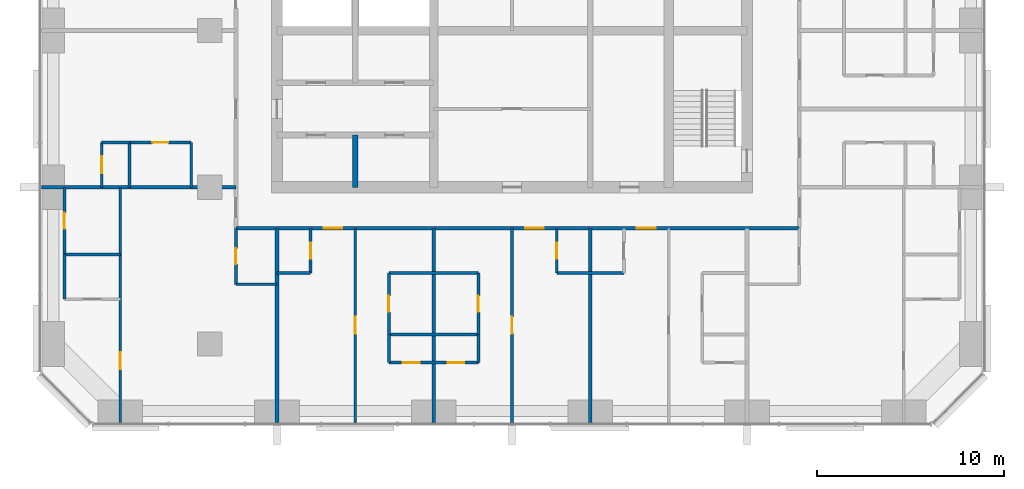
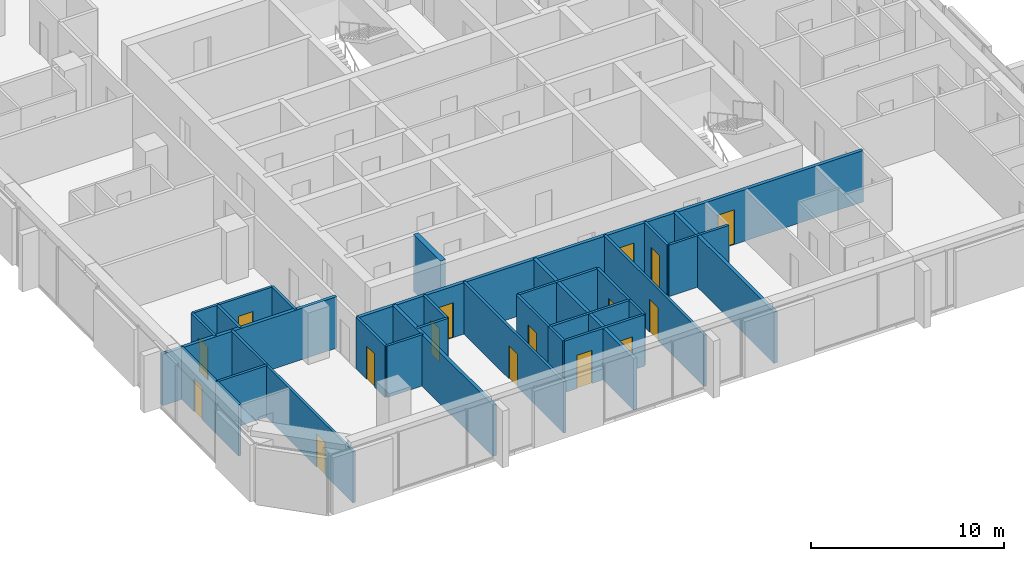
# One storey, part 8 of 14: 30 walls, 16 doors, 16 openings.
"""IFC4 building model written with IfcOpenShell, lengths in metres."""

import ifcopenshell
import ifcopenshell.guid

model = None  # the IFC model being written
_history = None  # IfcOwnerHistory: only IFC2X3 demands one
_inside = {}  # id of a spatial element -> (the spatial element, [elements in it])
_under = {}  # id of a project, library or spatial element -> (it, [spatial elements below it])
_declared = {}  # id of a project -> (the project, [libraries it declares])
_typed = {}  # id of a type object -> (the type object, [elements of that type])
_made_of = {}  # id of a material, layer set ... -> (it, [elements and type objects made of it])


def new_model(schema):
    """Start an empty IFC model of exactly this schema.

    Asked for "IFC4X3", IfcOpenShell would pick the latest addendum, in which some entities
    have other attributes; the version numbers below select the first issue.
    IFC2X3 requires an IfcOwnerHistory on every rooted entity: one is made here for all.
    """
    global model, _history
    if schema == "IFC4X3":
        model = ifcopenshell.file(schema_version=(4, 3, 0, 0))
    else:
        model = ifcopenshell.file(schema=schema)
    _inside.clear()
    _under.clear()
    _declared.clear()
    _typed.clear()
    _made_of.clear()
    _history = None
    if model.schema == "IFC2X3":
        org = make("IfcOrganization", Name="unknown")
        user = make(
            "IfcPersonAndOrganization",
            ThePerson=make("IfcPerson", FamilyName="unknown"),
            TheOrganization=org,
        )
        app = make(
            "IfcApplication",
            ApplicationDeveloper=org,
            Version="unknown",
            ApplicationFullName="unknown",
            ApplicationIdentifier="unknown",
        )
        _history = make(
            "IfcOwnerHistory",
            OwningUser=user,
            OwningApplication=app,
            ChangeAction="ADDED",
            CreationDate=0,
        )
    return model


def make(cls, **values):
    """One entity of the class cls with the attributes given. An attribute that is None is left unset."""
    return model.create_entity(
        cls, **{name: value for name, value in values.items() if value is not None}
    )


def rooted(cls, **values):
    """An entity with a GlobalId (a new one), such as an element, a storey or a relation."""
    return make(cls, GlobalId=ifcopenshell.guid.new(), OwnerHistory=_history, **values)


def si_unit(unit_type, name, prefix=None):
    """IfcSIUnit, for example si_unit("LENGTHUNIT", "METRE", prefix="MILLI")."""
    return make("IfcSIUnit", UnitType=unit_type, Prefix=prefix, Name=name)


def assignment(units):
    """IfcUnitAssignment: the units of a project."""
    return None if units is None else make("IfcUnitAssignment", Units=units)


def point(xyz):
    """IfcCartesianPoint."""
    return None if xyz is None else make("IfcCartesianPoint", Coordinates=xyz)


def direction(xyz):
    """IfcDirection."""
    return None if xyz is None else make("IfcDirection", DirectionRatios=xyz)


def frame(location, z_axis=None, x_axis=None):
    """IfcAxis2Placement3D, a coordinate frame: its origin and axes. An axis left out is left unset."""
    return make(
        "IfcAxis2Placement3D",
        Location=point(location),
        Axis=direction(z_axis),
        RefDirection=direction(x_axis),
    )


def frame_2d(location, x_axis=None):
    """IfcAxis2Placement2D, a coordinate frame in the plane: its origin and x axis."""
    return make(
        "IfcAxis2Placement2D", Location=point(location), RefDirection=direction(x_axis)
    )


def origin():
    """The frame at (0, 0, 0) with its axes left unset."""
    return frame((0.0, 0.0, 0.0))


def place(relative_to, where):
    """IfcLocalPlacement: puts the frame where relative to a parent placement (None: the world)."""
    return make(
        "IfcLocalPlacement", PlacementRelTo=relative_to, RelativePlacement=where
    )


def context(
    kind, dimensions, precision=None, world=None, true_north=None, identifier=None
):
    """IfcGeometricRepresentationContext, for example the 3D "Model" context."""
    return make(
        "IfcGeometricRepresentationContext",
        ContextIdentifier=identifier,
        ContextType=kind,
        CoordinateSpaceDimension=dimensions,
        Precision=precision,
        WorldCoordinateSystem=world,
        TrueNorth=true_north,
    )


def subcontext(parent, identifier, kind, view, scale=None):
    """IfcGeometricRepresentationSubContext, for example "Body" below "Model"."""
    return make(
        "IfcGeometricRepresentationSubContext",
        ContextIdentifier=identifier,
        ContextType=kind,
        ParentContext=parent,
        TargetScale=scale,
        TargetView=view,
    )


def project(units=None, contexts=None):
    """IfcProject with its units and contexts."""
    return rooted(
        "IfcProject",
        Name="project",
        RepresentationContexts=contexts,
        UnitsInContext=assignment(units),
    )


def spatial(cls, under=None, at=None, **own):
    """A site, building, storey or space (cls), placed at a placement, below another one or the project."""
    s = rooted(cls, ObjectPlacement=at, **own)
    if under is not None:
        _under.setdefault(under.id(), (under, []))[1].append(s)
    return s


def profile(cls, at=None, kind="AREA", **sizes):
    """A parametric profile (cls). Its sizes go by their IFC names, for example OverallWidth=200.0."""
    return make(cls, ProfileType=kind, Position=at, **sizes)


def rectangle(**sizes):
    """IfcRectangleProfileDef."""
    return profile("IfcRectangleProfileDef", **sizes)


def extrude(swept, where, along, depth):
    """IfcExtrudedAreaSolid: the profile swept, set in the frame where, extruded along a direction by depth."""
    return make(
        "IfcExtrudedAreaSolid",
        SweptArea=swept,
        Position=where,
        ExtrudedDirection=direction(along),
        Depth=depth,
    )


def shape(context_of_items, identifier, shape_type, items):
    """IfcShapeRepresentation: the items that make up one representation, for example the "Body"."""
    return make(
        "IfcShapeRepresentation",
        ContextOfItems=context_of_items,
        RepresentationIdentifier=identifier,
        RepresentationType=shape_type,
        Items=items,
    )


def material(Name=None, Category=None):
    """IfcMaterial."""
    return make("IfcMaterial", Name=Name, Category=Category)


def layer(
    of_material, thickness, ventilated=None, Name=None, Category=None, Priority=None
):
    """IfcMaterialLayer: one layer of a wall or slab, of a material (None: an air gap)."""
    return make(
        "IfcMaterialLayer",
        Material=of_material,
        LayerThickness=thickness,
        IsVentilated=ventilated,
        Name=Name,
        Category=Category,
        Priority=Priority,
    )


def layer_set(layers, Name=None):
    """IfcMaterialLayerSet."""
    return make("IfcMaterialLayerSet", MaterialLayers=layers, LayerSetName=Name)


def made_of(thing, what):
    """Note that an element or type object is made of a material, layer set ...; save() writes the relation."""
    if what is not None:
        _made_of.setdefault(what.id(), (what, []))[1].append(thing)
    return thing


def type_object(cls, material=None, **own):
    """A type object (cls), such as IfcWallType, which elements share."""
    return made_of(rooted(cls, **own), material)


def element(
    cls,
    number,
    at=None,
    inside=None,
    cuts=None,
    type_object=None,
    material=None,
    context=None,
    identifier="Body",
    shape_type=None,
    held_by="IfcProductDefinitionShape",
    body=None,
    shapes=None,
    **own,
):
    """One element of the class cls, such as IfcWall. Its Tag is "e" and its number.

    at: its placement. inside: the storey or other place that contains it. cuts: it is an
    opening in that element (IfcRelVoidsElement). A single representation is given by context,
    identifier, shape_type and body (its items); several are given by shapes. held_by: the class
    of the entity that holds the representations. save() writes the other relations.
    """
    e = rooted(cls, Tag="e%d" % number, ObjectPlacement=at, **own)
    if body is not None:
        shapes = [shape(context, identifier, shape_type, body)]
    if shapes is not None:
        e.Representation = make(held_by, Representations=shapes)
    if inside is not None:
        _inside.setdefault(inside.id(), (inside, []))[1].append(e)
    if cuts is not None:
        rooted(
            "IfcRelVoidsElement", RelatingBuildingElement=cuts, RelatedOpeningElement=e
        )
    if type_object is not None:
        _typed.setdefault(type_object.id(), (type_object, []))[1].append(e)
    return made_of(e, material)


def fill(opening, filler):
    """IfcRelFillsElement: the door or window that sits in an opening."""
    return rooted(
        "IfcRelFillsElement",
        RelatingOpeningElement=opening,
        RelatedBuildingElement=filler,
    )


def aggregate(whole, parts):
    """IfcRelAggregates: a whole, such as a stair, and the parts it consists of."""
    return rooted("IfcRelAggregates", RelatingObject=whole, RelatedObjects=parts)


def save(model, path):
    """Write the relations noted so far, then the file.

    IfcRelAggregates (storeys below a building ...), IfcRelContainedInSpatialStructure (elements
    in a storey), IfcRelDefinesByType, IfcRelAssociatesMaterial and IfcRelDeclares: one each for
    every whole, place, type object, material and project.
    """
    for whole, parts in _under.values():
        aggregate(whole, parts)
    for where, things in _inside.values():
        rooted(
            "IfcRelContainedInSpatialStructure",
            RelatedElements=things,
            RelatingStructure=where,
        )
    for kind, things in _typed.values():
        rooted("IfcRelDefinesByType", RelatedObjects=things, RelatingType=kind)
    for what, things in _made_of.values():
        rooted("IfcRelAssociatesMaterial", RelatedObjects=things, RelatingMaterial=what)
    for by, libraries in _declared.values():
        rooted("IfcRelDeclares", RelatingContext=by, RelatedDefinitions=libraries)
    model.write(path)


model = new_model("IFC4")

# Units and contexts
model_context = context("Model", 3, precision=1e-05, world=origin(), true_north=direction((0.0, 1.0)))
body_context = subcontext(model_context, "Body", "Model", "MODEL_VIEW")
ifc_project = project(units=[si_unit("LENGTHUNIT", "METRE"), si_unit("AREAUNIT", "SQUARE_METRE"), si_unit("VOLUMEUNIT", "CUBIC_METRE"), si_unit("PLANEANGLEUNIT", "RADIAN"), si_unit("MASSUNIT", "GRAM", prefix="KILO")], contexts=[model_context])

# Site, building, storey
site_placement = place(None, origin())
site = spatial("IfcSite", under=ifc_project, at=site_placement, CompositionType="ELEMENT")
building_placement = place(site_placement, origin())
building = spatial("IfcBuilding", under=site, at=building_placement, Name="Dunama Terrace Hotel", CompositionType="ELEMENT")
storey_placement = place(building_placement, frame((0.0, 0.0, 180.60009765625)))
storey = spatial("IfcBuildingStorey", under=building, at=storey_placement, Name="L46", CompositionType="ELEMENT", Elevation=180.60009765625)

# Wall, opening, door
ifc_material_1 = material(Name="Gypsum board partition", Category="masonry")
ifc_layer_1 = layer(ifc_material_1, 0.14990234375)
ifc_layer_set_1 = layer_set([ifc_layer_1], Name="Bathroom partition 150")
wall_type_1 = type_object("IfcWallType", Name="Bathroom partition 150", PredefinedType="PARTITIONING", material=ifc_layer_set_1)
wall_1_placement = place(storey_placement, frame((5.39990234375, 13.199951171875, 0.0), z_axis=(0.0, 0.0, 1.0), x_axis=(0.0, 1.0, 0.0)))
wall_1 = element("IfcWall", 1, at=wall_1_placement, inside=storey, type_object=wall_type_1, Name="Bathroom partition 150 L46", PredefinedType="PARTITIONING", context=body_context, shape_type="SweptSolid", body=[
    extrude(rectangle(XDim=3.60009765625, YDim=0.14990234375, at=frame_2d((1.800048828125, 0.0))), origin(), (0.0, 0.0, 1.0), 3.25),
])
opening_1_placement = place(wall_1_placement, frame((1.375, 0.0, 0.0)))
opening_1 = element("IfcOpeningElement", 2, at=opening_1_placement, cuts=wall_1, Name="Opening L46-47-055", PredefinedType="OPENING", context=body_context, shape_type="SweptSolid", body=[
    extrude(rectangle(XDim=0.85009765625, YDim=2.10009765625, at=frame_2d((0.425048828125, 1.050048828125))), frame((0.0, 0.0849609375, 0.0), z_axis=(0.0, -1.0, 0.0), x_axis=(1.0, 0.0, 0.0)), (0.0, 0.0, 1.0), 0.169921875),
])
ifc_material_2 = material(Name="Timber door with steel frame", Category="steel")
door_type_1 = type_object("IfcDoorType", Name="Bathroom door 850", OperationType="SINGLE_SWING_LEFT", PredefinedType="DOOR", material=ifc_material_2)
door_1_placement = place(opening_1_placement, frame((0.85009765625, 0.0, 0.0), z_axis=(0.0, 0.0, 1.0), x_axis=(-1.0, 0.0, 0.0)))
door_1 = element("IfcDoor", 3, at=door_1_placement, inside=storey, type_object=door_type_1, Name="Door to en-suite bathroom L46-47-055, type D2", OperationType="SINGLE_SWING_LEFT", OverallHeight=2.10009765625, OverallWidth=0.85009765625, PredefinedType="DOOR", context=body_context, shape_type="SweptSolid", body=[
    extrude(rectangle(XDim=0.85009765625, YDim=2.10009765625, at=frame_2d((0.425048828125, 1.050048828125))), frame((0.0, 0.025146484375, 0.0), z_axis=(0.0, -1.0, 0.0), x_axis=(1.0, 0.0, 0.0)), (0.0, 0.0, 1.0), 0.050048828125),
])
fill(opening_1, door_1)

# Wall
wall_2_placement = place(storey_placement, frame((12.199951171875, 16.800048828125, 0.0), z_axis=(0.0, 0.0, 1.0), x_axis=(0.0, 1.0, 0.0)))
element("IfcWall", 4, at=wall_2_placement, inside=storey, type_object=wall_type_1, Name="Bathroom partition 150 L46", PredefinedType="PARTITIONING", context=body_context, shape_type="SweptSolid", body=[
    extrude(rectangle(XDim=2.39990234375, YDim=0.14990234375, at=frame_2d((1.199951171875, 0.0))), origin(), (0.0, 0.0, 1.0), 3.25),
])

# Wall, opening, door
wall_3_placement = place(storey_placement, frame((14.60009765625, 11.60009765625, 0.0), z_axis=(0.0, 0.0, 1.0), x_axis=(0.0, 1.0, 0.0)))
wall_3 = element("IfcWall", 5, at=wall_3_placement, inside=storey, type_object=wall_type_1, Name="Bathroom partition 150 L46", PredefinedType="PARTITIONING", context=body_context, shape_type="SweptSolid", body=[
    extrude(rectangle(XDim=3.0, YDim=0.14990234375, at=frame_2d((1.5, 0.0))), origin(), (0.0, 0.0, 1.0), 3.25),
])
opening_2_placement = place(wall_3_placement, frame((1.074951171875, 0.0, 0.0)))
opening_2 = element("IfcOpeningElement", 6, at=opening_2_placement, cuts=wall_3, Name="Opening L46-47-053", PredefinedType="OPENING", context=body_context, shape_type="SweptSolid", body=[
    extrude(rectangle(XDim=0.85009765625, YDim=2.10009765625, at=frame_2d((0.425048828125, 1.050048828125))), frame((0.0, 0.0849609375, 0.0), z_axis=(0.0, -1.0, 0.0), x_axis=(1.0, 0.0, 0.0)), (0.0, 0.0, 1.0), 0.169921875),
])
door_2_placement = place(opening_2_placement, frame((0.85009765625, 0.0, 0.0), z_axis=(0.0, 0.0, 1.0), x_axis=(-1.0, 0.0, 0.0)))
door_2 = element("IfcDoor", 7, at=door_2_placement, inside=storey, type_object=door_type_1, Name="Door to powder room L46-47-053, type D2", OperationType="SINGLE_SWING_LEFT", OverallHeight=2.10009765625, OverallWidth=0.85009765625, PredefinedType="DOOR", context=body_context, shape_type="SweptSolid", body=[
    extrude(rectangle(XDim=0.85009765625, YDim=2.10009765625, at=frame_2d((0.425048828125, 1.050048828125))), frame((0.0, 0.025146484375, 0.0), z_axis=(0.0, -1.0, 0.0), x_axis=(1.0, 0.0, 0.0)), (0.0, 0.0, 1.0), 0.050048828125),
])
fill(opening_2, door_2)

wall_4_placement = place(storey_placement, frame((18.60009765625, 12.199951171875, 0.0), z_axis=(0.0, 0.0, 1.0), x_axis=(0.0, 1.0, 0.0)))
wall_4 = element("IfcWall", 8, at=wall_4_placement, inside=storey, type_object=wall_type_1, Name="Bathroom partition 150 L46", PredefinedType="PARTITIONING", context=body_context, shape_type="SweptSolid", body=[
    extrude(rectangle(XDim=2.400146484375, YDim=0.14990234375, at=frame_2d((1.2001953125, 0.0))), origin(), (0.0, 0.0, 1.0), 3.25),
])
opening_3_placement = place(wall_4_placement, frame((0.77490234375, 0.0, 0.0)))
opening_3 = element("IfcOpeningElement", 9, at=opening_3_placement, cuts=wall_4, Name="Opening L46-47-010", PredefinedType="OPENING", context=body_context, shape_type="SweptSolid", body=[
    extrude(rectangle(XDim=0.85009765625, YDim=2.10009765625, at=frame_2d((0.425048828125, 1.050048828125))), frame((0.0, 0.0849609375, 0.0), z_axis=(0.0, -1.0, 0.0), x_axis=(1.0, 0.0, 0.0)), (0.0, 0.0, 1.0), 0.169921875),
])
door_3_placement = place(opening_3_placement, origin())
door_3 = element("IfcDoor", 10, at=door_3_placement, inside=storey, type_object=door_type_1, Name="Door to powder room L46-47-010, type D2", OperationType="SINGLE_SWING_RIGHT", OverallHeight=2.10009765625, OverallWidth=0.85009765625, PredefinedType="DOOR", context=body_context, shape_type="SweptSolid", body=[
    extrude(rectangle(XDim=0.85009765625, YDim=2.10009765625, at=frame_2d((0.425048828125, 1.050048828125))), frame((0.0, 0.02490234375, 0.0), z_axis=(0.0, -1.0, 0.0), x_axis=(1.0, 0.0, 0.0)), (0.0, 0.0, 1.0), 0.050048828125),
])
fill(opening_3, door_3)

wall_5_placement = place(storey_placement, frame((22.800048828125, 8.89990234375, 0.0), z_axis=(0.0, 0.0, 1.0), x_axis=(0.0, 1.0, 0.0)))
wall_5 = element("IfcWall", 11, at=wall_5_placement, inside=storey, type_object=wall_type_1, Name="Bathroom partition 150 L46", PredefinedType="PARTITIONING", context=body_context, shape_type="SweptSolid", body=[
    extrude(rectangle(XDim=3.300048828125, YDim=0.14990234375, at=frame_2d((1.64990234375, 0.0))), origin(), (0.0, 0.0, 1.0), 3.25),
])
opening_4_placement = place(wall_5_placement, frame((1.22509765625, 0.0, 0.0)))
opening_4 = element("IfcOpeningElement", 12, at=opening_4_placement, cuts=wall_5, Name="Opening L46-47-012", PredefinedType="OPENING", context=body_context, shape_type="SweptSolid", body=[
    extrude(rectangle(XDim=0.85009765625, YDim=2.10009765625, at=frame_2d((0.425048828125, 1.050048828125))), frame((0.0, 0.0849609375, 0.0), z_axis=(0.0, -1.0, 0.0), x_axis=(1.0, 0.0, 0.0)), (0.0, 0.0, 1.0), 0.169921875),
])
door_4_placement = place(opening_4_placement, frame((0.85009765625, 0.0, 0.0), z_axis=(0.0, 0.0, 1.0), x_axis=(-1.0, 0.0, 0.0)))
door_4 = element("IfcDoor", 13, at=door_4_placement, inside=storey, type_object=door_type_1, Name="Door to en-suite bathroom L46-47-012, type D2", OperationType="SINGLE_SWING_RIGHT", OverallHeight=2.10009765625, OverallWidth=0.85009765625, PredefinedType="DOOR", context=body_context, shape_type="SweptSolid", body=[
    extrude(rectangle(XDim=0.85009765625, YDim=2.10009765625, at=frame_2d((0.425048828125, 1.050048828125))), frame((0.0, 0.025146484375, 0.0), z_axis=(0.0, -1.0, 0.0), x_axis=(1.0, 0.0, 0.0)), (0.0, 0.0, 1.0), 0.050048828125),
])
fill(opening_4, door_4)

wall_6_placement = place(storey_placement, frame((27.60009765625, 8.89990234375, 0.0), z_axis=(0.0, 0.0, 1.0), x_axis=(0.0, 1.0, 0.0)))
wall_6 = element("IfcWall", 14, at=wall_6_placement, inside=storey, type_object=wall_type_1, Name="Bathroom partition 150 L46", PredefinedType="PARTITIONING", context=body_context, shape_type="SweptSolid", body=[
    extrude(rectangle(XDim=3.300048828125, YDim=0.14990234375, at=frame_2d((1.64990234375, 0.0))), origin(), (0.0, 0.0, 1.0), 3.25),
])
opening_5_placement = place(wall_6_placement, frame((1.22509765625, 0.0, 0.0)))
opening_5 = element("IfcOpeningElement", 15, at=opening_5_placement, cuts=wall_6, Name="Opening L46-47-017", PredefinedType="OPENING", context=body_context, shape_type="SweptSolid", body=[
    extrude(rectangle(XDim=0.85009765625, YDim=2.10009765625, at=frame_2d((0.425048828125, 1.050048828125))), frame((0.0, 0.0849609375, 0.0), z_axis=(0.0, -1.0, 0.0), x_axis=(1.0, 0.0, 0.0)), (0.0, 0.0, 1.0), 0.169921875),
])
door_5_placement = place(opening_5_placement, origin())
door_5 = element("IfcDoor", 16, at=door_5_placement, inside=storey, type_object=door_type_1, Name="Door to en-suite bathroom L46-47-017, type D2", OperationType="SINGLE_SWING_LEFT", OverallHeight=2.10009765625, OverallWidth=0.85009765625, PredefinedType="DOOR", context=body_context, shape_type="SweptSolid", body=[
    extrude(rectangle(XDim=0.85009765625, YDim=2.10009765625, at=frame_2d((0.425048828125, 1.050048828125))), frame((0.0, 0.02490234375, 0.0), z_axis=(0.0, -1.0, 0.0), x_axis=(1.0, 0.0, 0.0)), (0.0, 0.0, 1.0), 0.050048828125),
])
fill(opening_5, door_5)

wall_7_placement = place(storey_placement, frame((31.800048828125, 12.199951171875, 0.0), z_axis=(0.0, 0.0, 1.0), x_axis=(0.0, 1.0, 0.0)))
wall_7 = element("IfcWall", 17, at=wall_7_placement, inside=storey, type_object=wall_type_1, Name="Bathroom partition 150 L46", PredefinedType="PARTITIONING", context=body_context, shape_type="SweptSolid", body=[
    extrude(rectangle(XDim=2.400146484375, YDim=0.14990234375, at=frame_2d((1.2001953125, 0.0))), origin(), (0.0, 0.0, 1.0), 3.25),
])
opening_6_placement = place(wall_7_placement, frame((0.77490234375, 0.0, 0.0)))
opening_6 = element("IfcOpeningElement", 18, at=opening_6_placement, cuts=wall_7, Name="Opening L46-47-015", PredefinedType="OPENING", context=body_context, shape_type="SweptSolid", body=[
    extrude(rectangle(XDim=0.85009765625, YDim=2.10009765625, at=frame_2d((0.425048828125, 1.050048828125))), frame((0.0, 0.0849609375, 0.0), z_axis=(0.0, -1.0, 0.0), x_axis=(1.0, 0.0, 0.0)), (0.0, 0.0, 1.0), 0.169921875),
])
door_6_placement = place(opening_6_placement, frame((0.85009765625, 0.0, 0.0), z_axis=(0.0, 0.0, 1.0), x_axis=(-1.0, 0.0, 0.0)))
door_6 = element("IfcDoor", 19, at=door_6_placement, inside=storey, type_object=door_type_1, Name="Door to powder room L46-47-015, type D2", OperationType="SINGLE_SWING_LEFT", OverallHeight=2.10009765625, OverallWidth=0.85009765625, PredefinedType="DOOR", context=body_context, shape_type="SweptSolid", body=[
    extrude(rectangle(XDim=0.85009765625, YDim=2.10009765625, at=frame_2d((0.425048828125, 1.050048828125))), frame((0.0, 0.025146484375, 0.0), z_axis=(0.0, -1.0, 0.0), x_axis=(1.0, 0.0, 0.0)), (0.0, 0.0, 1.0), 0.050048828125),
])
fill(opening_6, door_6)

# Walls
wall_8_placement = place(storey_placement, frame((14.60009765625, 11.60009765625, 0.0), z_axis=(0.0, 0.0, 1.0), x_axis=(1.0, 0.0, 0.0)))
element("IfcWall", 20, at=wall_8_placement, inside=storey, type_object=wall_type_1, Name="Bathroom partition 150 L46", PredefinedType="PARTITIONING", context=body_context, shape_type="SweptSolid", body=[
    extrude(rectangle(XDim=2.199951171875, YDim=0.14990234375, at=frame_2d((1.10009765625, 0.0))), origin(), (0.0, 0.0, 1.0), 3.25),
])
wall_9_placement = place(storey_placement, frame((16.800048828125, 12.199951171875, 0.0), z_axis=(0.0, 0.0, 1.0), x_axis=(1.0, 0.0, 0.0)))
element("IfcWall", 21, at=wall_9_placement, inside=storey, type_object=wall_type_1, Name="Bathroom partition 150 L46", PredefinedType="PARTITIONING", context=body_context, shape_type="SweptSolid", body=[
    extrude(rectangle(XDim=1.800048828125, YDim=0.14990234375, at=frame_2d((0.89990234375, 0.0))), origin(), (0.0, 0.0, 1.0), 3.25),
])
wall_10_placement = place(storey_placement, frame((22.800048828125, 12.199951171875, 0.0), z_axis=(0.0, 0.0, 1.0), x_axis=(1.0, 0.0, 0.0)))
element("IfcWall", 22, at=wall_10_placement, inside=storey, type_object=wall_type_1, Name="Bathroom partition 150 L46", PredefinedType="PARTITIONING", context=body_context, shape_type="SweptSolid", body=[
    extrude(rectangle(XDim=4.800048828125, YDim=0.14990234375, at=frame_2d((2.39990234375, 0.0))), origin(), (0.0, 0.0, 1.0), 3.25),
])
wall_11_placement = place(storey_placement, frame((31.800048828125, 12.199951171875, 0.0), z_axis=(0.0, 0.0, 1.0), x_axis=(1.0, 0.0, 0.0)))
element("IfcWall", 23, at=wall_11_placement, inside=storey, type_object=wall_type_1, Name="Bathroom partition 150 L46", PredefinedType="PARTITIONING", context=body_context, shape_type="SweptSolid", body=[
    extrude(rectangle(XDim=3.599853515625, YDim=0.14990234375, at=frame_2d((1.7998046875, 0.0))), origin(), (0.0, 0.0, 1.0), 3.25),
])

# Wall, opening, door
wall_12_placement = place(storey_placement, frame((8.89990234375, 19.199951171875, 0.0), z_axis=(0.0, 0.0, 1.0), x_axis=(1.0, 0.0, 0.0)))
wall_12 = element("IfcWall", 24, at=wall_12_placement, inside=storey, type_object=wall_type_1, Name="Bathroom partition 150 L46", PredefinedType="PARTITIONING", context=body_context, shape_type="SweptSolid", body=[
    extrude(rectangle(XDim=3.300048828125, YDim=0.14990234375, at=frame_2d((1.64990234375, 0.0))), origin(), (0.0, 0.0, 1.0), 3.25),
])
opening_7_placement = place(wall_12_placement, frame((1.22509765625, 0.0, 0.0)))
opening_7 = element("IfcOpeningElement", 25, at=opening_7_placement, cuts=wall_12, Name="Opening L46-47-043", PredefinedType="OPENING", context=body_context, shape_type="SweptSolid", body=[
    extrude(rectangle(XDim=0.85009765625, YDim=2.10009765625, at=frame_2d((0.425048828125, 1.050048828125))), frame((0.0, 0.0849609375, 0.0), z_axis=(0.0, -1.0, 0.0), x_axis=(1.0, 0.0, 0.0)), (0.0, 0.0, 1.0), 0.169921875),
])
door_7_placement = place(opening_7_placement, frame((0.85009765625, 0.0, 0.0), z_axis=(0.0, 0.0, 1.0), x_axis=(-1.0, 0.0, 0.0)))
door_7 = element("IfcDoor", 26, at=door_7_placement, inside=storey, type_object=door_type_1, Name="Door to en-suite bathroom L46-47-043, type D2", OperationType="SINGLE_SWING_RIGHT", OverallHeight=2.10009765625, OverallWidth=0.85009765625, PredefinedType="DOOR", context=body_context, shape_type="SweptSolid", body=[
    extrude(rectangle(XDim=0.85009765625, YDim=2.10009765625, at=frame_2d((0.425048828125, 1.050048828125))), frame((0.0, 0.025146484375, 0.0), z_axis=(0.0, -1.0, 0.0), x_axis=(1.0, 0.0, 0.0)), (0.0, 0.0, 1.0), 0.050048828125),
])
fill(opening_7, door_7)

# Wall
ifc_material_3 = material(Name="Concrete C50/60", Category="concrete")
ifc_layer_2 = layer(ifc_material_3, 0.300048828125)
ifc_layer_set_2 = layer_set([ifc_layer_2], Name="Core inner wall 300")
wall_type_2 = type_object("IfcWallType", Name="Core inner wall 300", PredefinedType="SHEAR", material=ifc_layer_set_2)
wall_13_placement = place(storey_placement, frame((21.0, 16.800048828125, -0.35009765625), z_axis=(0.0, 0.0, 1.0), x_axis=(0.0, 1.0, 0.0)))
element("IfcWall", 27, at=wall_13_placement, inside=storey, type_object=wall_type_2, Name="Core inner wall 300 L46", PredefinedType="SHEAR", context=body_context, shape_type="SweptSolid", body=[
    extrude(rectangle(XDim=2.800048828125, YDim=0.300048828125, at=frame_2d((1.39990234375, 0.0))), origin(), (0.0, 0.0, 1.0), 3.60009765625),
])

# Wall, openings, doors
ifc_material_4 = material(Name="Concrete blockwork", Category="masonry")
ifc_layer_3 = layer(ifc_material_4, 0.199951171875)
ifc_layer_set_3 = layer_set([ifc_layer_3], Name="Corridor partition 200")
wall_type_3 = type_object("IfcWallType", Name="Corridor partition 200", PredefinedType="PARTITIONING", material=ifc_layer_set_3)
wall_14_placement = place(storey_placement, frame((44.800048828125, 14.60009765625, 0.0), z_axis=(0.0, 0.0, 1.0), x_axis=(-1.0, 0.0, 0.0)))
wall_14 = element("IfcWall", 28, at=wall_14_placement, inside=storey, type_object=wall_type_3, Name="Corridor partition 200 L46", PredefinedType="PARTITIONING", context=body_context, shape_type="SweptSolid", body=[
    extrude(rectangle(XDim=30.199951171875, YDim=0.199951171875, at=frame_2d((15.10009765625, 0.0))), origin(), (0.0, 0.0, 1.0), 3.25),
])
opening_8_placement = place(wall_14_placement, frame((24.5, 0.0, 0.0)))
opening_8 = element("IfcOpeningElement", 29, at=opening_8_placement, cuts=wall_14, Name="Opening L46-47-009", PredefinedType="OPENING", context=body_context, shape_type="SweptSolid", body=[
    extrude(rectangle(XDim=1.0, YDim=2.199951171875, at=frame_2d((0.5, 1.10009765625))), frame((0.0, 0.10986328125, 0.0), z_axis=(0.0, -1.0, 0.0), x_axis=(1.0, 0.0, 0.0)), (0.0, 0.0, 1.0), 0.219970703125),
])
opening_9_placement = place(wall_14_placement, frame((13.699951171875, 0.0, 0.0)))
opening_9 = element("IfcOpeningElement", 30, at=opening_9_placement, cuts=wall_14, Name="Opening L46-47-014", PredefinedType="OPENING", context=body_context, shape_type="SweptSolid", body=[
    extrude(rectangle(XDim=1.0, YDim=2.199951171875, at=frame_2d((0.5, 1.10009765625))), frame((0.0, 0.10986328125, 0.0), z_axis=(0.0, -1.0, 0.0), x_axis=(1.0, 0.0, 0.0)), (0.0, 0.0, 1.0), 0.219970703125),
])
opening_10_placement = place(wall_14_placement, frame((7.699951171875, 0.0, 0.0)))
opening_10 = element("IfcOpeningElement", 31, at=opening_10_placement, cuts=wall_14, Name="Opening L46-47-019", PredefinedType="OPENING", context=body_context, shape_type="SweptSolid", body=[
    extrude(rectangle(XDim=1.0, YDim=2.199951171875, at=frame_2d((0.5, 1.10009765625))), frame((0.0, 0.10986328125, 0.0), z_axis=(0.0, -1.0, 0.0), x_axis=(1.0, 0.0, 0.0)), (0.0, 0.0, 1.0), 0.219970703125),
])
ifc_material_5 = material(Name="Timber door with steel frame", Category="steel")
door_type_2 = type_object("IfcDoorType", Name="Guest room door 1000", OperationType="SINGLE_SWING_LEFT", PredefinedType="DOOR", material=ifc_material_5)
door_8_placement = place(opening_8_placement, origin())
door_8 = element("IfcDoor", 32, at=door_8_placement, inside=storey, type_object=door_type_2, Name="Door to executive club suite living room L46-47-009, type D1", OperationType="SINGLE_SWING_RIGHT", OverallHeight=2.199951171875, OverallWidth=1.0, PredefinedType="DOOR", context=body_context, shape_type="SweptSolid", body=[
    extrude(rectangle(XDim=1.0, YDim=2.199951171875, at=frame_2d((0.5, 1.10009765625))), frame((0.0, 0.02490234375, 0.0), z_axis=(0.0, -1.0, 0.0), x_axis=(1.0, 0.0, 0.0)), (0.0, 0.0, 1.0), 0.050048828125),
])
fill(opening_8, door_8)
door_9_placement = place(opening_9_placement, origin())
door_9 = element("IfcDoor", 33, at=door_9_placement, inside=storey, type_object=door_type_2, Name="Door to executive club suite living room L46-47-014, type D1", OperationType="SINGLE_SWING_RIGHT", OverallHeight=2.199951171875, OverallWidth=1.0, PredefinedType="DOOR", context=body_context, shape_type="SweptSolid", body=[
    extrude(rectangle(XDim=1.0, YDim=2.199951171875, at=frame_2d((0.5, 1.10009765625))), frame((0.0, 0.02490234375, 0.0), z_axis=(0.0, -1.0, 0.0), x_axis=(1.0, 0.0, 0.0)), (0.0, 0.0, 1.0), 0.050048828125),
])
fill(opening_9, door_9)
door_10_placement = place(opening_10_placement, origin())
door_10 = element("IfcDoor", 34, at=door_10_placement, inside=storey, type_object=door_type_2, Name="Door to executive club suite living room L46-47-019, type D1", OperationType="SINGLE_SWING_RIGHT", OverallHeight=2.199951171875, OverallWidth=1.0, PredefinedType="DOOR", context=body_context, shape_type="SweptSolid", body=[
    extrude(rectangle(XDim=1.0, YDim=2.199951171875, at=frame_2d((0.5, 1.10009765625))), frame((0.0, 0.02490234375, 0.0), z_axis=(0.0, -1.0, 0.0), x_axis=(1.0, 0.0, 0.0)), (0.0, 0.0, 1.0), 0.050048828125),
])
fill(opening_10, door_10)

# Walls
ifc_material_6 = material(Name="Concrete blockwork", Category="masonry")
ifc_layer_4 = layer(ifc_material_6, 0.199951171875)
ifc_layer_set_4 = layer_set([ifc_layer_4], Name="Party wall 200")
wall_type_4 = type_object("IfcWallType", Name="Party wall 200", PredefinedType="PARTITIONING", material=ifc_layer_set_4)
for number, where, z_axis, x_axis, name in (
    (35, (16.800048828125, 4.181884765625, 0.0), (0.0, 0.0, 1.0), (0.0, 1.0, 0.0), "Party wall 200 L46"),
    (36, (25.199951171875, 4.181884765625, 0.0), (0.0, 0.0, 1.0), (0.0, 1.0, 0.0), "Party wall 200 L46"),
    (37, (33.60009765625, 4.181884765625, 0.0), (0.0, 0.0, 1.0), (0.0, 1.0, 0.0), "Party wall 200 L46"),
    (38, (4.181884765625, 16.800048828125, 0.0), (0.0, 0.0, 1.0), (1.0, 0.0, 0.0), "Party wall 200 L46"),
):
    element("IfcWall", number, at=place(storey_placement, frame(where, z_axis=z_axis, x_axis=x_axis)), inside=storey, type_object=wall_type_4, Name=name, PredefinedType="PARTITIONING", context=body_context, shape_type="SweptSolid", body=[
        extrude(rectangle(XDim=10.418212890625, YDim=0.199951171875, at=frame_2d((5.208984375, 0.0))), origin(), (0.0, 0.0, 1.0), 3.25),
    ])
ifc_material_7 = material(Name="Gypsum board partition", Category="masonry")
ifc_layer_5 = layer(ifc_material_7, 0.14990234375)
ifc_layer_set_5 = layer_set([ifc_layer_5], Name="Room partition 150")
wall_type_5 = type_object("IfcWallType", Name="Room partition 150", PredefinedType="PARTITIONING", material=ifc_layer_set_5)
wall_15_placement = place(storey_placement, frame((5.39990234375, 10.800048828125, 0.0), z_axis=(0.0, 0.0, 1.0), x_axis=(0.0, 1.0, 0.0)))
element("IfcWall", 39, at=wall_15_placement, inside=storey, type_object=wall_type_5, Name="Room partition 150 L46", PredefinedType="PARTITIONING", context=body_context, shape_type="SweptSolid", body=[
    extrude(rectangle(XDim=2.39990234375, YDim=0.14990234375, at=frame_2d((1.199951171875, 0.0))), origin(), (0.0, 0.0, 1.0), 3.25),
])

# Wall, opening, door
wall_16_placement = place(storey_placement, frame((7.39990234375, 16.800048828125, 0.0), z_axis=(0.0, 0.0, 1.0), x_axis=(0.0, 1.0, 0.0)))
wall_16 = element("IfcWall", 40, at=wall_16_placement, inside=storey, type_object=wall_type_5, Name="Room partition 150 L46", PredefinedType="PARTITIONING", context=body_context, shape_type="SweptSolid", body=[
    extrude(rectangle(XDim=2.39990234375, YDim=0.14990234375, at=frame_2d((1.199951171875, 0.0))), origin(), (0.0, 0.0, 1.0), 3.25),
])
opening_11_placement = place(wall_16_placement, frame((0.75, 0.0, 0.0)))
opening_11 = element("IfcOpeningElement", 41, at=opening_11_placement, cuts=wall_16, Name="Opening L46-47-044", PredefinedType="OPENING", context=body_context, shape_type="SweptSolid", body=[
    extrude(rectangle(XDim=0.89990234375, YDim=2.10009765625, at=frame_2d((0.449951171875, 1.050048828125))), frame((0.0, 0.0849609375, 0.0), z_axis=(0.0, -1.0, 0.0), x_axis=(1.0, 0.0, 0.0)), (0.0, 0.0, 1.0), 0.169921875),
])
ifc_material_8 = material(Name="Timber door with steel frame", Category="steel")
door_type_3 = type_object("IfcDoorType", Name="Suite internal door 900", OperationType="SINGLE_SWING_LEFT", PredefinedType="DOOR", material=ifc_material_8)
door_11_placement = place(opening_11_placement, frame((0.89990234375, 0.0, 0.0), z_axis=(0.0, 0.0, 1.0), x_axis=(-1.0, 0.0, 0.0)))
door_11 = element("IfcDoor", 42, at=door_11_placement, inside=storey, type_object=door_type_3, Name="Door to walk-in wardrobe L46-47-044, type D16", OperationType="SINGLE_SWING_RIGHT", OverallHeight=2.10009765625, OverallWidth=0.89990234375, PredefinedType="DOOR", context=body_context, shape_type="SweptSolid", body=[
    extrude(rectangle(XDim=0.89990234375, YDim=2.10009765625, at=frame_2d((0.449951171875, 1.050048828125))), frame((0.0, 0.025146484375, 0.0), z_axis=(0.0, -1.0, 0.0), x_axis=(1.0, 0.0, 0.0)), (0.0, 0.0, 1.0), 0.050048828125),
])
fill(opening_11, door_11)

wall_17_placement = place(storey_placement, frame((8.39990234375, 4.181884765625, 0.0), z_axis=(0.0, 0.0, 1.0), x_axis=(0.0, 1.0, 0.0)))
wall_17 = element("IfcWall", 43, at=wall_17_placement, inside=storey, type_object=wall_type_5, Name="Room partition 150 L46", PredefinedType="PARTITIONING", context=body_context, shape_type="SweptSolid", body=[
    extrude(rectangle(XDim=12.6181640625, YDim=0.14990234375, at=frame_2d((6.30908203125, 0.0))), origin(), (0.0, 0.0, 1.0), 3.25),
])
opening_12_placement = place(wall_17_placement, frame((2.867919921875, 0.0, 0.0)))
opening_12 = element("IfcOpeningElement", 44, at=opening_12_placement, cuts=wall_17, Name="Opening L46-47-054", PredefinedType="OPENING", context=body_context, shape_type="SweptSolid", body=[
    extrude(rectangle(XDim=0.89990234375, YDim=2.10009765625, at=frame_2d((0.449951171875, 1.050048828125))), frame((0.0, 0.0849609375, 0.0), z_axis=(0.0, -1.0, 0.0), x_axis=(1.0, 0.0, 0.0)), (0.0, 0.0, 1.0), 0.169921875),
])
door_12_placement = place(opening_12_placement, origin())
door_12 = element("IfcDoor", 45, at=door_12_placement, inside=storey, type_object=door_type_3, Name="Door to corner suite bedroom L46-47-054, type D16", OperationType="SINGLE_SWING_LEFT", OverallHeight=2.10009765625, OverallWidth=0.89990234375, PredefinedType="DOOR", context=body_context, shape_type="SweptSolid", body=[
    extrude(rectangle(XDim=0.89990234375, YDim=2.10009765625, at=frame_2d((0.449951171875, 1.050048828125))), frame((0.0, 0.02490234375, 0.0), z_axis=(0.0, -1.0, 0.0), x_axis=(1.0, 0.0, 0.0)), (0.0, 0.0, 1.0), 0.050048828125),
])
fill(opening_12, door_12)

# Wall
wall_18_placement = place(storey_placement, frame((8.89990234375, 16.800048828125, 0.0), z_axis=(0.0, 0.0, 1.0), x_axis=(0.0, 1.0, 0.0)))
element("IfcWall", 46, at=wall_18_placement, inside=storey, type_object=wall_type_5, Name="Room partition 150 L46", PredefinedType="PARTITIONING", context=body_context, shape_type="SweptSolid", body=[
    extrude(rectangle(XDim=2.39990234375, YDim=0.14990234375, at=frame_2d((1.199951171875, 0.0))), origin(), (0.0, 0.0, 1.0), 3.25),
])

# Wall, opening, door
wall_19_placement = place(storey_placement, frame((21.0, 4.181884765625, 0.0), z_axis=(0.0, 0.0, 1.0), x_axis=(0.0, 1.0, 0.0)))
wall_19 = element("IfcWall", 47, at=wall_19_placement, inside=storey, type_object=wall_type_5, Name="Room partition 150 L46", PredefinedType="PARTITIONING", context=body_context, shape_type="SweptSolid", body=[
    extrude(rectangle(XDim=10.418212890625, YDim=0.14990234375, at=frame_2d((5.208984375, 0.0))), origin(), (0.0, 0.0, 1.0), 3.25),
])
opening_13_placement = place(wall_19_placement, frame((4.76806640625, 0.0, 0.0)))
opening_13 = element("IfcOpeningElement", 48, at=opening_13_placement, cuts=wall_19, Name="Opening L46-47-011", PredefinedType="OPENING", context=body_context, shape_type="SweptSolid", body=[
    extrude(rectangle(XDim=0.89990234375, YDim=2.10009765625, at=frame_2d((0.449951171875, 1.050048828125))), frame((0.0, 0.0849609375, 0.0), z_axis=(0.0, -1.0, 0.0), x_axis=(1.0, 0.0, 0.0)), (0.0, 0.0, 1.0), 0.169921875),
])
door_13_placement = place(opening_13_placement, frame((0.89990234375, 0.0, 0.0), z_axis=(0.0, 0.0, 1.0), x_axis=(-1.0, 0.0, 0.0)))
door_13 = element("IfcDoor", 49, at=door_13_placement, inside=storey, type_object=door_type_3, Name="Door to executive club suite bedroom L46-47-011, type D16", OperationType="SINGLE_SWING_RIGHT", OverallHeight=2.10009765625, OverallWidth=0.89990234375, PredefinedType="DOOR", context=body_context, shape_type="SweptSolid", body=[
    extrude(rectangle(XDim=0.89990234375, YDim=2.10009765625, at=frame_2d((0.449951171875, 1.050048828125))), frame((0.0, 0.025146484375, 0.0), z_axis=(0.0, -1.0, 0.0), x_axis=(1.0, 0.0, 0.0)), (0.0, 0.0, 1.0), 0.050048828125),
])
fill(opening_13, door_13)

# Walls
for number, where, z_axis, x_axis, name in (
    (50, (22.800048828125, 7.39990234375, 0.0), (0.0, 0.0, 1.0), (0.0, 1.0, 0.0), "Room partition 150 L46"),
    (51, (27.60009765625, 7.39990234375, 0.0), (0.0, 0.0, 1.0), (0.0, 1.0, 0.0), "Room partition 150 L46"),
):
    element("IfcWall", number, at=place(storey_placement, frame(where, z_axis=z_axis, x_axis=x_axis)), inside=storey, type_object=wall_type_5, Name=name, PredefinedType="PARTITIONING", context=body_context, shape_type="SweptSolid", body=[
        extrude(rectangle(XDim=1.5, YDim=0.14990234375, at=frame_2d((0.75, 0.0))), origin(), (0.0, 0.0, 1.0), 3.25),
    ])

# Wall, opening, door
wall_20_placement = place(storey_placement, frame((29.39990234375, 4.181884765625, 0.0), z_axis=(0.0, 0.0, 1.0), x_axis=(0.0, 1.0, 0.0)))
wall_20 = element("IfcWall", 52, at=wall_20_placement, inside=storey, type_object=wall_type_5, Name="Room partition 150 L46", PredefinedType="PARTITIONING", context=body_context, shape_type="SweptSolid", body=[
    extrude(rectangle(XDim=10.418212890625, YDim=0.14990234375, at=frame_2d((5.208984375, 0.0))), origin(), (0.0, 0.0, 1.0), 3.25),
])
opening_14_placement = place(wall_20_placement, frame((4.76806640625, 0.0, 0.0)))
opening_14 = element("IfcOpeningElement", 53, at=opening_14_placement, cuts=wall_20, Name="Opening L46-47-016", PredefinedType="OPENING", context=body_context, shape_type="SweptSolid", body=[
    extrude(rectangle(XDim=0.89990234375, YDim=2.10009765625, at=frame_2d((0.449951171875, 1.050048828125))), frame((0.0, 0.0849609375, 0.0), z_axis=(0.0, -1.0, 0.0), x_axis=(1.0, 0.0, 0.0)), (0.0, 0.0, 1.0), 0.169921875),
])
door_14_placement = place(opening_14_placement, origin())
door_14 = element("IfcDoor", 54, at=door_14_placement, inside=storey, type_object=door_type_3, Name="Door to executive club suite bedroom L46-47-016, type D16", OperationType="SINGLE_SWING_LEFT", OverallHeight=2.10009765625, OverallWidth=0.89990234375, PredefinedType="DOOR", context=body_context, shape_type="SweptSolid", body=[
    extrude(rectangle(XDim=0.89990234375, YDim=2.10009765625, at=frame_2d((0.449951171875, 1.050048828125))), frame((0.0, 0.02490234375, 0.0), z_axis=(0.0, -1.0, 0.0), x_axis=(1.0, 0.0, 0.0)), (0.0, 0.0, 1.0), 0.050048828125),
])
fill(opening_14, door_14)

# Wall, openings, doors
wall_21_placement = place(storey_placement, frame((22.800048828125, 7.39990234375, 0.0), z_axis=(0.0, 0.0, 1.0), x_axis=(1.0, 0.0, 0.0)))
wall_21 = element("IfcWall", 55, at=wall_21_placement, inside=storey, type_object=wall_type_5, Name="Room partition 150 L46", PredefinedType="PARTITIONING", context=body_context, shape_type="SweptSolid", body=[
    extrude(rectangle(XDim=4.800048828125, YDim=0.14990234375, at=frame_2d((2.39990234375, 0.0))), origin(), (0.0, 0.0, 1.0), 3.25),
])
opening_15_placement = place(wall_21_placement, frame((0.75, 0.0, 0.0)))
opening_15 = element("IfcOpeningElement", 56, at=opening_15_placement, cuts=wall_21, Name="Opening L46-47-013", PredefinedType="OPENING", context=body_context, shape_type="SweptSolid", body=[
    extrude(rectangle(XDim=0.89990234375, YDim=2.10009765625, at=frame_2d((0.449951171875, 1.050048828125))), frame((0.0, 0.0849609375, 0.0), z_axis=(0.0, -1.0, 0.0), x_axis=(1.0, 0.0, 0.0)), (0.0, 0.0, 1.0), 0.169921875),
])
opening_16_placement = place(wall_21_placement, frame((3.14990234375, 0.0, 0.0)))
opening_16 = element("IfcOpeningElement", 57, at=opening_16_placement, cuts=wall_21, Name="Opening L46-47-018", PredefinedType="OPENING", context=body_context, shape_type="SweptSolid", body=[
    extrude(rectangle(XDim=0.89990234375, YDim=2.10009765625, at=frame_2d((0.449951171875, 1.050048828125))), frame((0.0, 0.0849609375, 0.0), z_axis=(0.0, -1.0, 0.0), x_axis=(1.0, 0.0, 0.0)), (0.0, 0.0, 1.0), 0.169921875),
])
door_15_placement = place(opening_15_placement, origin())
door_15 = element("IfcDoor", 58, at=door_15_placement, inside=storey, type_object=door_type_3, Name="Door to walk-in wardrobe L46-47-013, type D16", OperationType="SINGLE_SWING_LEFT", OverallHeight=2.10009765625, OverallWidth=0.89990234375, PredefinedType="DOOR", context=body_context, shape_type="SweptSolid", body=[
    extrude(rectangle(XDim=0.89990234375, YDim=2.10009765625, at=frame_2d((0.449951171875, 1.050048828125))), frame((0.0, 0.02490234375, 0.0), z_axis=(0.0, -1.0, 0.0), x_axis=(1.0, 0.0, 0.0)), (0.0, 0.0, 1.0), 0.050048828125),
])
fill(opening_15, door_15)
door_16_placement = place(opening_16_placement, origin())
door_16 = element("IfcDoor", 59, at=door_16_placement, inside=storey, type_object=door_type_3, Name="Door to walk-in wardrobe L46-47-018, type D16", OperationType="SINGLE_SWING_LEFT", OverallHeight=2.10009765625, OverallWidth=0.89990234375, PredefinedType="DOOR", context=body_context, shape_type="SweptSolid", body=[
    extrude(rectangle(XDim=0.89990234375, YDim=2.10009765625, at=frame_2d((0.449951171875, 1.050048828125))), frame((0.0, 0.02490234375, 0.0), z_axis=(0.0, -1.0, 0.0), x_axis=(1.0, 0.0, 0.0)), (0.0, 0.0, 1.0), 0.050048828125),
])
fill(opening_16, door_16)

# Walls
wall_22_placement = place(storey_placement, frame((22.800048828125, 8.89990234375, 0.0), z_axis=(0.0, 0.0, 1.0), x_axis=(1.0, 0.0, 0.0)))
element("IfcWall", 60, at=wall_22_placement, inside=storey, type_object=wall_type_5, Name="Room partition 150 L46", PredefinedType="PARTITIONING", context=body_context, shape_type="SweptSolid", body=[
    extrude(rectangle(XDim=4.800048828125, YDim=0.14990234375, at=frame_2d((2.39990234375, 0.0))), origin(), (0.0, 0.0, 1.0), 3.25),
])
wall_23_placement = place(storey_placement, frame((5.39990234375, 13.199951171875, 0.0), z_axis=(0.0, 0.0, 1.0), x_axis=(1.0, 0.0, 0.0)))
element("IfcWall", 61, at=wall_23_placement, inside=storey, type_object=wall_type_5, Name="Room partition 150 L46", PredefinedType="PARTITIONING", context=body_context, shape_type="SweptSolid", body=[
    extrude(rectangle(XDim=3.0, YDim=0.14990234375, at=frame_2d((1.5, 0.0))), origin(), (0.0, 0.0, 1.0), 3.25),
])
wall_24_placement = place(storey_placement, frame((7.39990234375, 19.199951171875, 0.0), z_axis=(0.0, 0.0, 1.0), x_axis=(1.0, 0.0, 0.0)))
element("IfcWall", 62, at=wall_24_placement, inside=storey, type_object=wall_type_5, Name="Room partition 150 L46", PredefinedType="PARTITIONING", context=body_context, shape_type="SweptSolid", body=[
    extrude(rectangle(XDim=1.5, YDim=0.14990234375, at=frame_2d((0.75, 0.0))), origin(), (0.0, 0.0, 1.0), 3.25),
])

save(model, "model.ifc")
